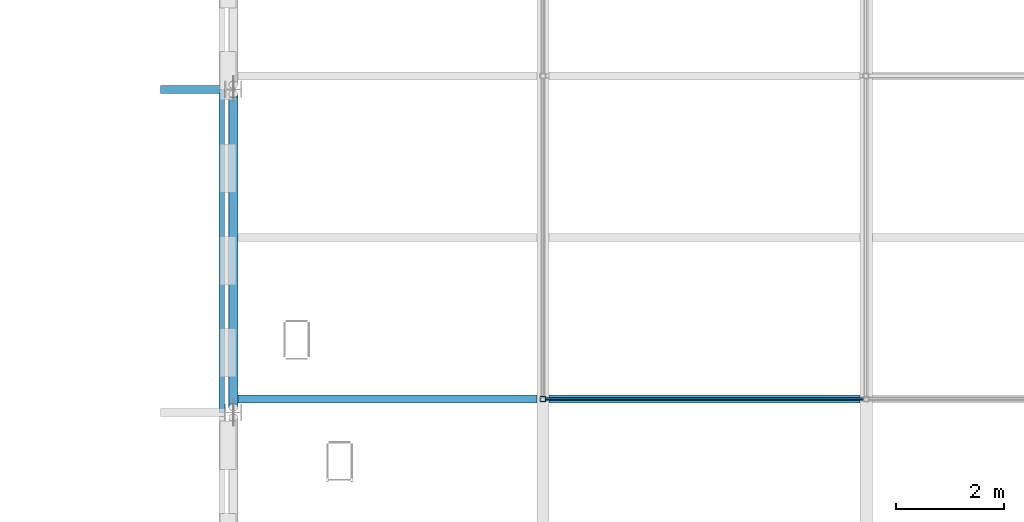
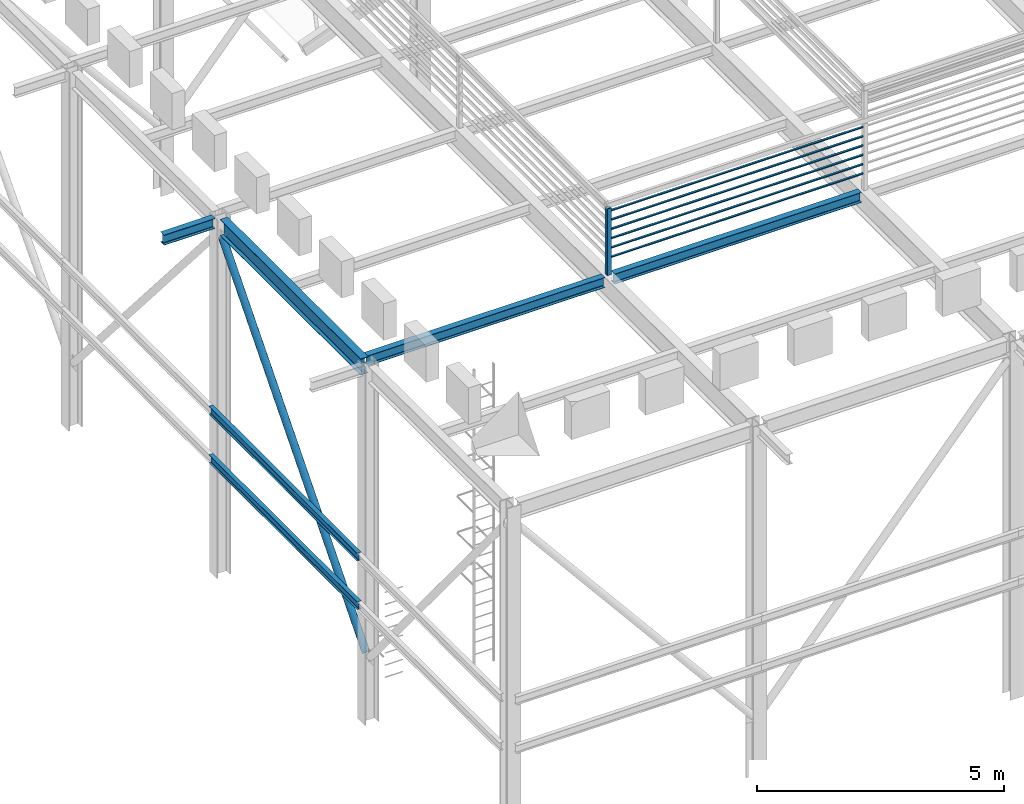
# One storey, part 3 of 57: 8 members, 6 beams.
"""IFC4 building model written with IfcOpenShell, lengths in metres."""

from ifc_helpers import new_model, si_unit, direction, frame, origin, origin_2d, place, context, subcontext, project, spatial, hollow_rectangle, hollow_circle, i_section, extrude, material, material_profile, profile_set, type_object, element, save


model = new_model("IFC4")

# Units and contexts
model_context = context("Model", 3, precision=1e-05, world=origin(), true_north=direction((0.0, 1.0)))
body_context = subcontext(model_context, "Body", "Model", "MODEL_VIEW")
ifc_project = project(units=[si_unit("LENGTHUNIT", "METRE"), si_unit("AREAUNIT", "SQUARE_METRE"), si_unit("VOLUMEUNIT", "CUBIC_METRE"), si_unit("PLANEANGLEUNIT", "RADIAN"), si_unit("MASSUNIT", "GRAM", prefix="KILO")], contexts=[model_context])

# Site, building, storey
site_placement = place(None, origin())
site = spatial("IfcSite", under=ifc_project, at=site_placement, CompositionType="ELEMENT")
building_placement = place(site_placement, origin())
building = spatial("IfcBuilding", under=site, at=building_placement, Name="Saffron Lane Theatres", CompositionType="ELEMENT")
storey_placement = place(building_placement, frame((0.0, 0.0, 28.0)))
storey = spatial("IfcBuildingStorey", under=building, at=storey_placement, Name="Upper Roof", CompositionType="ELEMENT", Elevation=28.0)

# Members
ifc_material_1 = material(Name="Steel Grade 350", Category="steel")
ifc_material_profile_1 = material_profile(ifc_material_1, hollow_rectangle(XDim=0.10009765625, YDim=0.10009765625, WallThickness=0.006103515625, InnerFilletRadius=0.0029296875, OuterFilletRadius=0.009033203125, at=origin_2d()))
ifc_profile_set_1 = profile_set([ifc_material_profile_1], Name="Steel Grade 350")
member_type_1 = type_object("IfcMemberType", Name="ST-LANTERN POST 100x100x6 SHS", PredefinedType="POST", material=ifc_profile_set_1)
member_1_placement = place(storey_placement, frame((24.0, 36.25, 8.85009765625), z_axis=(0.0, 0.0, 1.0), x_axis=(1.0, 0.0, 0.0)))
element("IfcMember", 1, at=member_1_placement, inside=storey, type_object=member_type_1, Name="LP1", PredefinedType="POST", context=body_context, shape_type="SweptSolid", body=[
    extrude(hollow_rectangle(XDim=0.10009765625, YDim=0.10009765625, WallThickness=0.006103515625, InnerFilletRadius=0.0029296875, OuterFilletRadius=0.009033203125, at=origin_2d()), origin(), (0.0, 0.0, 1.0), 1.64990234375),
])
ifc_material_2 = material(Name="Steel Grade 350", Category="steel")
ifc_material_profile_2 = material_profile(ifc_material_2, hollow_rectangle(XDim=0.034912109375, YDim=0.06494140625, WallThickness=0.0029296875, InnerFilletRadius=0.00146484375, OuterFilletRadius=0.00439453125, at=origin_2d()))
ifc_profile_set_2 = profile_set([ifc_material_profile_2], Name="Steel Grade 350")
member_type_2 = type_object("IfcMemberType", Name="ST-LOUVRE SLAT 65x35x3 RHS", PredefinedType="MEMBER", material=ifc_profile_set_2)
for number, where, z_axis, x_axis, name in (
    (2, (24.050048828125, 36.25, 9.25), (1.0, 0.0, 0.0), (0.0, 0.819152044289, 0.573576436351), "LV1"),
    (3, (24.050048828125, 36.25, 9.47998046875), (1.0, 0.0, 0.0), (0.0, 0.819152044289, 0.573576436351), "LV11"),
    (4, (24.050048828125, 36.25, 9.7099609375), (1.0, 0.0, 0.0), (0.0, 0.819152044289, 0.573576436351), "LV21"),
    (5, (24.050048828125, 36.25, 9.93994140625), (1.0, 0.0, 0.0), (0.0, 0.819152044289, 0.573576436351), "LV31"),
    (6, (24.050048828125, 36.25, 10.169921875), (1.0, 0.0, 0.0), (0.0, 0.819152044289, 0.573576436351), "LV41"),
    (7, (24.050048828125, 36.25, 10.39990234375), (1.0, 0.0, 0.0), (0.0, 0.819152044289, 0.573576436351), "LV51"),
):
    element("IfcMember", number, at=place(storey_placement, frame(where, z_axis=z_axis, x_axis=x_axis)), inside=storey, type_object=member_type_2, Name=name, PredefinedType="MEMBER", context=body_context, shape_type="SweptSolid", body=[
        extrude(hollow_rectangle(XDim=0.034912109375, YDim=0.06494140625, WallThickness=0.0029296875, InnerFilletRadius=0.00146484375, OuterFilletRadius=0.00439453125, at=origin_2d()), origin(), (0.0, 0.0, 1.0), 5.89990234375),
    ])

# Beams
ifc_material_3 = material(Name="Steel Grade 350", Category="steel")
ifc_material_profile_3 = material_profile(ifc_material_3, i_section(OverallWidth=0.177978515625, OverallDepth=0.406005859375, WebThickness=0.0078125, FlangeThickness=0.0126953125, FilletRadius=0.010986328125, at=origin_2d()))
ifc_profile_set_3 = profile_set([ifc_material_profile_3], Name="Steel Grade 350")
beam_type_1 = type_object("IfcBeamType", Name="ST-ROOF GIRDER 410UB59.7", PredefinedType="BEAM", material=ifc_profile_set_3)
beam_1_placement = place(storey_placement, frame((18.25, 36.155517578125, 8.64697265625), z_axis=(0.0, 1.0, 0.0), x_axis=(-1.0, 0.0, 0.0)))
element("IfcBeam", 8, at=beam_1_placement, inside=storey, type_object=beam_type_1, Name="TR12", PredefinedType="BEAM", context=body_context, shape_type="SweptSolid", body=[
    extrude(i_section(OverallWidth=0.177978515625, OverallDepth=0.406005859375, WebThickness=0.0078125, FlangeThickness=0.0126953125, FilletRadius=0.010986328125, at=origin_2d()), origin(), (0.0, 0.0, 1.0), 5.68896484375),
])
ifc_material_4 = material(Name="Steel Grade 350", Category="steel")
ifc_material_profile_4 = material_profile(ifc_material_4, i_section(OverallWidth=0.14599609375, OverallDepth=0.251953125, WebThickness=0.006103515625, FlangeThickness=0.008544921875, FilletRadius=0.011962890625, at=origin_2d()))
ifc_profile_set_4 = profile_set([ifc_material_profile_4], Name="Steel Grade 350")
beam_type_2 = type_object("IfcBeamType", Name="ST-ROOF JOIST 250UB31.4", PredefinedType="JOIST", material=ifc_profile_set_4)
beam_2_placement = place(storey_placement, frame((18.339111328125, 36.25, 8.72412109375), z_axis=(1.0, 0.0, 0.0), x_axis=(0.0, 1.0, 0.0)))
element("IfcBeam", 9, at=beam_2_placement, inside=storey, type_object=beam_type_2, Name="TT6", PredefinedType="JOIST", context=body_context, shape_type="SweptSolid", body=[
    extrude(i_section(OverallWidth=0.14599609375, OverallDepth=0.251953125, WebThickness=0.006103515625, FlangeThickness=0.008544921875, FilletRadius=0.011962890625, at=origin_2d()), origin(), (0.0, 0.0, 1.0), 5.546875),
])
beam_3_placement = place(storey_placement, frame((24.114013671875, 36.25, 8.72412109375), z_axis=(1.0, 0.0, 0.0), x_axis=(0.0, 1.0, 0.0)))
element("IfcBeam", 10, at=beam_3_placement, inside=storey, type_object=beam_type_2, Name="TT7", PredefinedType="JOIST", context=body_context, shape_type="SweptSolid", body=[
    extrude(i_section(OverallWidth=0.14599609375, OverallDepth=0.251953125, WebThickness=0.006103515625, FlangeThickness=0.008544921875, FilletRadius=0.011962890625, at=origin_2d()), origin(), (0.0, 0.0, 1.0), 5.77197265625),
])
beam_4_placement = place(storey_placement, frame((18.08642578125, 42.0, 8.72412109375), z_axis=(-1.0, 0.0, 0.0), x_axis=(0.0, -1.0, 0.0)))
element("IfcBeam", 11, at=beam_4_placement, inside=storey, type_object=beam_type_2, Name="TE11", PredefinedType="JOIST", context=body_context, shape_type="SweptSolid", body=[
    extrude(i_section(OverallWidth=0.14599609375, OverallDepth=0.251953125, WebThickness=0.006103515625, FlangeThickness=0.008544921875, FilletRadius=0.011962890625, at=origin_2d()), origin(), (0.0, 0.0, 1.0), 1.1865234375),
])

# Member
ifc_material_5 = material(Name="Steel Grade 350", Category="steel")
ifc_material_profile_5 = material_profile(ifc_material_5, hollow_circle(Radius=0.084228515625, WallThickness=0.00634765625, at=origin_2d()))
ifc_profile_set_5 = profile_set([ifc_material_profile_5], Name="Steel Grade 350")
member_type_3 = type_object("IfcMemberType", Name="ST-TOWER BRACE HI 168.3x6.4 CHS", PredefinedType="BRACE", material=ifc_profile_set_5)
member_2_placement = place(storey_placement, frame((18.25, 36.091552734375, 1.60595703125), z_axis=(0.0, 0.653796315822, 0.756670587123), x_axis=(-1.0, 0.0, 0.0)))
element("IfcMember", 12, at=member_2_placement, inside=storey, type_object=member_type_3, Name="TB24", PredefinedType="BRACE", context=body_context, shape_type="SweptSolid", body=[
    extrude(hollow_circle(Radius=0.084228515625, WallThickness=0.00634765625, at=origin_2d()), origin(), (0.0, 0.0, 1.0), 8.897216796875),
])

# Beams
ifc_material_6 = material(Name="Steel Grade 350", Category="steel")
ifc_material_profile_6 = material_profile(ifc_material_6, i_section(OverallWidth=0.09912109375, OverallDepth=0.197998046875, WebThickness=0.00439453125, FlangeThickness=0.007080078125, FilletRadius=0.010986328125, at=origin_2d()))
ifc_profile_set_6 = profile_set([ifc_material_profile_6], Name="Steel Grade 350")
beam_type_3 = type_object("IfcBeamType", Name="ST-TOWER GIRT 200UB18.2", PredefinedType="BEAM", material=ifc_profile_set_6)
for number, where, z_axis, x_axis, name in (
    (13, (18.037109375, 36.0, 2.90087890625), (0.0, 1.0, 0.0), (-1.0, 0.0, 0.0), "TX39"),
    (14, (18.037109375, 36.0, 4.10107421875), (0.0, 1.0, 0.0), (-1.0, 0.0, 0.0), "TX43"),
):
    element("IfcBeam", number, at=place(storey_placement, frame(where, z_axis=z_axis, x_axis=x_axis)), inside=storey, type_object=beam_type_3, Name=name, PredefinedType="BEAM", context=body_context, shape_type="SweptSolid", body=[
        extrude(i_section(OverallWidth=0.09912109375, OverallDepth=0.197998046875, WebThickness=0.00439453125, FlangeThickness=0.007080078125, FilletRadius=0.010986328125, at=origin_2d()), origin(), (0.0, 0.0, 1.0), 6.0),
    ])

save(model, "model.ifc")
